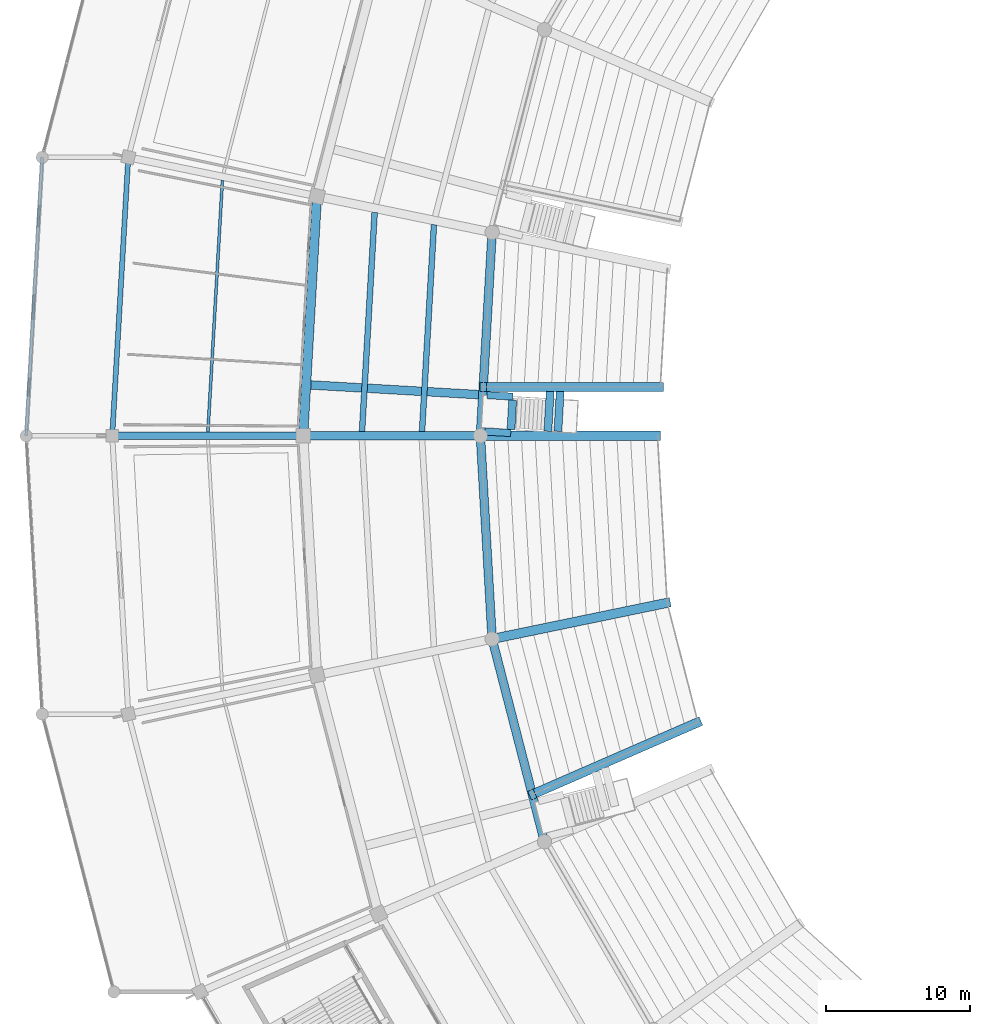
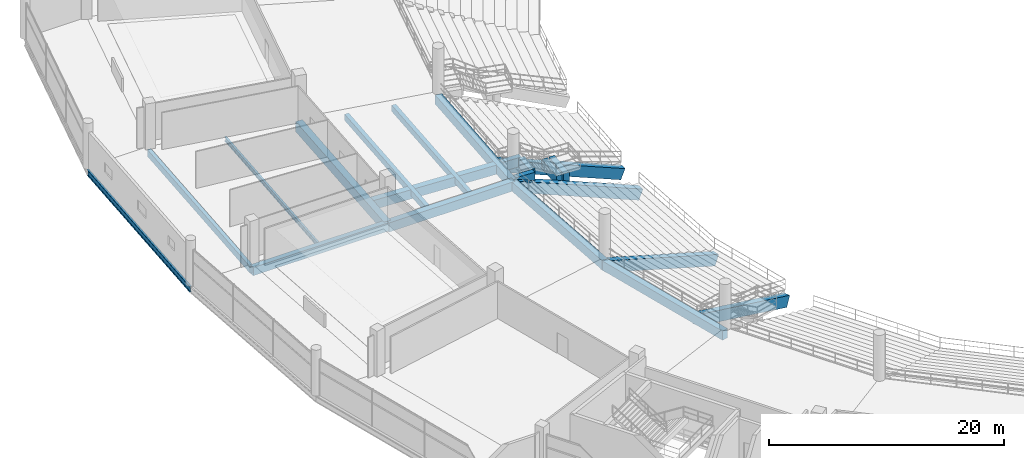
# One storey, part 30 of 156: 21 beams.
"""IFC4 building model written with IfcOpenShell, lengths in metres."""

from ifc_helpers import new_model, si_unit, direction, frame, origin, origin_2d, place, context, subcontext, project, spatial, rectangle, i_section, extrude, material, material_profile, profile_set, type_object, element, save


model = new_model("IFC4")

# Units and contexts
model_context = context("Model", 3, precision=1e-05, world=origin(), true_north=direction((0.0, 1.0)))
body_context = subcontext(model_context, "Body", "Model", "MODEL_VIEW")
ifc_project = project(units=[si_unit("LENGTHUNIT", "METRE"), si_unit("AREAUNIT", "SQUARE_METRE"), si_unit("VOLUMEUNIT", "CUBIC_METRE"), si_unit("PLANEANGLEUNIT", "RADIAN"), si_unit("MASSUNIT", "GRAM", prefix="KILO")], contexts=[model_context])

# Site, building, storey
site_placement = place(None, origin())
site = spatial("IfcSite", under=ifc_project, at=site_placement, CompositionType="ELEMENT")
building_placement = place(site_placement, origin())
building = spatial("IfcBuilding", under=site, at=building_placement, Name="Kazemori Nagisa Stadium", CompositionType="ELEMENT")
storey_placement = place(building_placement, frame((0.0, 0.0, 5.780029296875)))
storey = spatial("IfcBuildingStorey", under=building, at=storey_placement, Name="L01", CompositionType="ELEMENT", Elevation=5.780029296875)

# Beams
ifc_material_1 = material(Name="Concrete C40/50 (Fc42)", Category="concrete")
ifc_material_profile_1 = material_profile(ifc_material_1, rectangle(XDim=0.5, YDim=0.85009765625, at=origin_2d()), Name="RC-BM-500x850")
ifc_profile_set_1 = profile_set([ifc_material_profile_1], Name="Concrete C40/50 (Fc42)")
beam_type_1 = type_object("IfcBeamType", Name="Beam_BG-RC500X850", PredefinedType="BEAM", material=ifc_profile_set_1)
beam_1_placement = place(storey_placement, frame((41.300048828125, 102.0, -0.705078125), z_axis=(-1.0, 0.0, 0.0), x_axis=(0.0, -1.0, 0.0)))
element("IfcBeam", 1, at=beam_1_placement, inside=storey, type_object=beam_type_1, Name="Radial girder BG-RC500X850 L01 R2-R3-15", PredefinedType="BEAM", context=body_context, shape_type="SweptSolid", body=[
    extrude(rectangle(XDim=0.5, YDim=0.85009765625, at=origin_2d()), origin(), (0.0, 0.0, 1.0), 13.300048828125),
])
ifc_material_profile_2 = material_profile(ifc_material_1, rectangle(XDim=0.60009765625, YDim=0.949951171875, at=origin_2d()), Name="RC-BM-600x950")
ifc_profile_set_2 = profile_set([ifc_material_profile_2], Name="Concrete C40/50 (Fc42)")
beam_type_2 = type_object("IfcBeamType", Name="Beam_BG-RC600X950", PredefinedType="BEAM", material=ifc_profile_set_2)
for number, where, z_axis, x_axis, name in (
    (2, (54.467041015625, 116.160400390625, -0.755126953125), (-0.057610061423, -0.998339161219, 0.0), (0.998339161219, -0.057610061423, 0.0), "Ring girder BG-RC600X950 L01 R1-14"),
    (3, (53.64990234375, 102.0, -0.755126953125), (0.057610061423, -0.998339161219, 0.0), (0.998339161219, 0.057610061423, 0.0), "Ring girder BG-RC600X950 L01 R1-15"),
):
    element("IfcBeam", number, at=place(storey_placement, frame(where, z_axis=z_axis, x_axis=x_axis)), inside=storey, type_object=beam_type_2, Name=name, PredefinedType="BEAM", context=body_context, shape_type="SweptSolid", body=[
        extrude(rectangle(XDim=0.60009765625, YDim=0.949951171875, at=origin_2d()), origin(), (0.0, 0.0, 1.0), 14.183837890625),
    ])
beam_2_placement = place(storey_placement, frame((54.467041015625, 87.839599609375, -0.755126953125), z_axis=(0.249966077383, -0.9682545947, 0.0), x_axis=(0.9682545947, 0.249966077383, 0.0)))
element("IfcBeam", 4, at=beam_2_placement, inside=storey, type_object=beam_type_2, Name="Ring girder BG-RC600X950 L01 R1-16", PredefinedType="BEAM", context=body_context, shape_type="SweptSolid", body=[
    extrude(rectangle(XDim=0.60009765625, YDim=0.949951171875, at=origin_2d()), origin(), (0.0, 0.0, 1.0), 14.58984375),
])
beam_3_placement = place(storey_placement, frame((53.64990234375, 102.0, -0.755126953125), z_axis=(-1.0, 0.0, 0.0), x_axis=(0.0, -1.0, 0.0)))
element("IfcBeam", 5, at=beam_3_placement, inside=storey, type_object=beam_type_2, Name="Radial girder BG-RC600X950 L01 R1-R2-15", PredefinedType="BEAM", context=body_context, shape_type="SweptSolid", body=[
    extrude(rectangle(XDim=0.60009765625, YDim=0.949951171875, at=origin_2d()), origin(), (0.0, 0.0, 1.0), 12.349853515625),
])
beam_4_placement = place(storey_placement, frame((53.519775390625, 104.8623046875, -0.755126953125), z_axis=(-0.998339895506, 0.057597335362, 0.0), x_axis=(-0.057597335362, -0.998339895506, 0.0)))
element("IfcBeam", 6, at=beam_4_placement, inside=storey, type_object=beam_type_2, Name="Lower vomitory right backspan girder B14", PredefinedType="BEAM", context=body_context, shape_type="SweptSolid", body=[
    extrude(rectangle(XDim=0.60009765625, YDim=0.949951171875, at=origin_2d()), origin(), (0.0, 0.0, 1.0), 11.69482421875),
])
ifc_material_profile_3 = material_profile(ifc_material_1, rectangle(XDim=0.64990234375, YDim=1.050048828125, at=origin_2d()), Name="RC-BM-650x1050")
ifc_profile_set_3 = profile_set([ifc_material_profile_3], Name="Concrete C40/50 (Fc42)")
beam_type_3 = type_object("IfcBeamType", Name="Beam_BG-RC650X1050", PredefinedType="BEAM", material=ifc_profile_set_3)
beam_5_placement = place(storey_placement, frame((42.262451171875, 118.68212890625, -0.804931640625), z_axis=(-0.057594854854, -0.998340038611, 0.0), x_axis=(0.998340038611, -0.057594854854, 0.0)))
element("IfcBeam", 7, at=beam_5_placement, inside=storey, type_object=beam_type_3, Name="Ring girder BG-RC650X1050 L01 R2-14", PredefinedType="BEAM", context=body_context, shape_type="SweptSolid", body=[
    extrude(rectangle(XDim=0.64990234375, YDim=1.050048828125, at=origin_2d()), origin(), (0.0, 0.0, 1.0), 16.7099609375),
])
ifc_material_profile_4 = material_profile(ifc_material_1, rectangle(XDim=0.5, YDim=0.949951171875, at=origin_2d()), Name="RC-BM-500x950")
ifc_profile_set_4 = profile_set([ifc_material_profile_4], Name="Concrete C40/50 (Fc42)")
beam_type_4 = type_object("IfcBeamType", Name="Beam_BG-TR500X950", PredefinedType="BEAM", material=ifc_profile_set_4)
for number, where, z_axis, x_axis, name in (
    (8, (55.764404296875, 102.1884765625, -0.695068359375), (-0.998338595305, 0.057619867443, 0.0), (-0.057619867443, -0.998338595305, 0.0), "Lower vomitory left trimmer girder B14"),
    (9, (55.91064453125, 104.724365234375, -0.695068359375), (-0.998338595305, 0.057619867443, 0.0), (-0.057619867443, -0.998338595305, 0.0), "Lower vomitory right trimmer girder B14"),
):
    element("IfcBeam", number, at=place(storey_placement, frame(where, z_axis=z_axis, x_axis=x_axis)), inside=storey, type_object=beam_type_4, Name=name, PredefinedType="BEAM", context=body_context, shape_type="SweptSolid", body=[
        extrude(rectangle(XDim=0.5, YDim=0.949951171875, at=origin_2d()), origin(), (0.0, 0.0, 1.0), 1.804931640625),
    ])
ifc_material_profile_5 = material_profile(ifc_material_1, rectangle(XDim=0.550048828125, YDim=0.949951171875, at=origin_2d()), Name="RC-BM-550x950")
ifc_profile_set_5 = profile_set([ifc_material_profile_5], Name="Concrete C40/50 (Fc42)")
beam_type_5 = type_object("IfcBeamType", Name="Beam_BG-TR550X950", PredefinedType="BEAM", material=ifc_profile_set_5)
beam_6_placement = place(storey_placement, frame((55.778564453125, 102.43310546875, -0.695068359375), z_axis=(0.057521208334, 0.998344284599, 0.0), x_axis=(-0.998344284599, 0.057521208334, 0.0)))
element("IfcBeam", 10, at=beam_6_placement, inside=storey, type_object=beam_type_5, Name="Lower vomitory portal header girder B14", PredefinedType="BEAM", context=body_context, shape_type="SweptSolid", body=[
    extrude(rectangle(XDim=0.550048828125, YDim=0.949951171875, at=origin_2d()), origin(), (0.0, 0.0, 1.0), 2.050048828125),
])
for number, where, z_axis, x_axis, name in (
    (11, (58.510498046875, 105.0849609375, -2.135009765625), (-0.05761000106, -0.998339164702, 0.0), (0.998339164702, -0.05761000106, 0.0), "Vomitory landing cross-beam VL06-1"),
    (12, (59.207763671875, 105.0849609375, -2.135009765625), (-0.05761000106, -0.998339164702, 0.0), (0.998339164702, -0.05761000106, 0.0), "Vomitory landing cross-beam VL06-2"),
):
    element("IfcBeam", number, at=place(storey_placement, frame(where, z_axis=z_axis, x_axis=x_axis)), inside=storey, type_object=beam_type_5, Name=name, PredefinedType="BEAM", context=body_context, shape_type="SweptSolid", body=[
        extrude(rectangle(XDim=0.550048828125, YDim=0.949951171875, at=origin_2d()), origin(), (0.0, 0.0, 1.0), 2.780029296875),
    ])
ifc_material_2 = material(Name="Steel SN490B", Category="steel")
ifc_material_profile_6 = material_profile(ifc_material_2, i_section(OverallWidth=0.199951171875, OverallDepth=0.449951171875, WebThickness=0.009033203125, FlangeThickness=0.013916015625, FilletRadius=0.012939453125, at=origin_2d()), Name="H-450x200x9x14")
ifc_profile_set_6 = profile_set([ifc_material_profile_6], Name="Steel SN490B")
beam_type_6 = type_object("IfcBeamType", Name="Beam_BJ-H450", PredefinedType="JOIST", material=ifc_profile_set_6)
beam_7_placement = place(storey_placement, frame((35.6767578125, 119.795166015625, -0.505126953125), z_axis=(-0.057605851522, -0.998339404146, 0.0), x_axis=(0.998339404146, -0.057605851522, 0.0)))
element("IfcBeam", 13, at=beam_7_placement, inside=storey, type_object=beam_type_6, Name="Outer bay joist BJ-H450 L01 B14", PredefinedType="JOIST", context=body_context, shape_type="SweptSolid", body=[
    extrude(i_section(OverallWidth=0.199951171875, OverallDepth=0.449951171875, WebThickness=0.009033203125, FlangeThickness=0.013916015625, FilletRadius=0.012939453125, at=origin_2d()), origin(), (0.0, 0.0, 1.0), 17.579833984375),
])
ifc_material_profile_7 = material_profile(ifc_material_1, rectangle(XDim=0.39990234375, YDim=0.64990234375, at=origin_2d()), Name="RC-BM-400x650")
ifc_profile_set_7 = profile_set([ifc_material_profile_7], Name="Concrete C40/50 (Fc42)")
beam_type_7 = type_object("IfcBeamType", Name="Beam_BJ-RC400X650", PredefinedType="JOIST", material=ifc_profile_set_7)
beam_8_placement = place(storey_placement, frame((50.4130859375, 116.699951171875, -0.60498046875), z_axis=(-0.057594265016, -0.998340072639, 0.0), x_axis=(0.998340072639, -0.057594265016, 0.0)))
element("IfcBeam", 14, at=beam_8_placement, inside=storey, type_object=beam_type_7, Name="Concourse joist BJ-RC400X650 L01 B14-1", PredefinedType="JOIST", context=body_context, shape_type="SweptSolid", body=[
    extrude(rectangle(XDim=0.39990234375, YDim=0.64990234375, at=origin_2d()), origin(), (0.0, 0.0, 1.0), 14.429443359375),
])
beam_9_placement = place(storey_placement, frame((46.282470703125, 117.553466796875, -0.60498046875), z_axis=(-0.057599290514, -0.998339782705, 0.0), x_axis=(0.998339782705, -0.057599290514, 0.0)))
element("IfcBeam", 15, at=beam_9_placement, inside=storey, type_object=beam_type_7, Name="Concourse joist BJ-RC400X650 L01 B14-2", PredefinedType="JOIST", context=body_context, shape_type="SweptSolid", body=[
    extrude(rectangle(XDim=0.39990234375, YDim=0.64990234375, at=origin_2d()), origin(), (0.0, 0.0, 1.0), 15.284423828125),
])
ifc_material_profile_8 = material_profile(ifc_material_2, i_section(OverallWidth=0.199951171875, OverallDepth=0.60009765625, WebThickness=0.010986328125, FlangeThickness=0.01708984375, FilletRadius=0.012939453125, at=origin_2d()), Name="H-600x200x11x17")
ifc_profile_set_8 = profile_set([ifc_material_profile_8], Name="Steel SN490B")
beam_type_8 = type_object("IfcBeamType", Name="Beam_BS-H600", PredefinedType="SPANDREL", material=ifc_profile_set_8)
beam_10_placement = place(storey_placement, frame((23.119140625, 121.397705078125, -0.573974609375), z_axis=(-0.057598702622, -0.998339816624, 0.0), x_axis=(0.998339816624, -0.057598702622, 0.0)))
element("IfcBeam", 16, at=beam_10_placement, inside=storey, type_object=beam_type_8, Name="Boulevard edge beam BS-H600 L01 R4-14", PredefinedType="SPANDREL", context=body_context, shape_type="SweptSolid", body=[
    extrude(i_section(OverallWidth=0.199951171875, OverallDepth=0.60009765625, WebThickness=0.010986328125, FlangeThickness=0.01708984375, FilletRadius=0.012939453125, at=origin_2d()), origin(), (0.0, 0.0, 1.0), 19.429931640625),
])
ifc_material_profile_9 = material_profile(ifc_material_1, rectangle(XDim=0.35009765625, YDim=0.699951171875, at=origin_2d()), Name="RC-SP-350x700")
ifc_profile_set_9 = profile_set([ifc_material_profile_9], Name="Concrete C40/50 (Fc42)")
beam_type_9 = type_object("IfcBeamType", Name="Beam_BS-RC350X700", PredefinedType="SPANDREL", material=ifc_profile_set_9)
beam_11_placement = place(storey_placement, frame((29.119140625, 121.397705078125, -0.630126953125), z_axis=(-0.057598702622, -0.998339816624, 0.0), x_axis=(0.998339816624, -0.057598702622, 0.0)))
element("IfcBeam", 17, at=beam_11_placement, inside=storey, type_object=beam_type_9, Name="Ring girder BS-RC350X700 L01 R3-14", PredefinedType="SPANDREL", context=body_context, shape_type="SweptSolid", body=[
    extrude(rectangle(XDim=0.35009765625, YDim=0.699951171875, at=origin_2d()), origin(), (0.0, 0.0, 1.0), 19.429931640625),
])
ifc_material_profile_10 = material_profile(ifc_material_1, rectangle(XDim=0.64990234375, YDim=1.10009765625, at=origin_2d()), Name="RC-RK-650x1100")
ifc_profile_set_10 = profile_set([ifc_material_profile_10], Name="Concrete C40/50 (Fc42)")
beam_type_10 = type_object("IfcBeamType", Name="Beam_RK-RC650X1100", PredefinedType="USERDEFINED", material=ifc_profile_set_10)
beam_12_placement = place(storey_placement, frame((66.0, 102.0, -5.97998046875), z_axis=(-0.922970005148, 0.0, 0.384871887253), x_axis=(0.0, -1.0, 0.0)))
element("IfcBeam", 18, at=beam_12_placement, inside=storey, type_object=beam_type_10, Name="Raker beam lower RK1-15", ObjectType="RAKER BEAM", PredefinedType="USERDEFINED", context=body_context, shape_type="SweptSolid", body=[
    extrude(rectangle(XDim=0.64990234375, YDim=1.10009765625, at=origin_2d()), origin(), (0.0, 0.0, 1.0), 13.380859375),
])
beam_13_placement = place(storey_placement, frame((66.671630859375, 90.361328125, -5.97998046875), z_axis=(-0.90508066658, -0.187008965895, 0.38191181398), x_axis=(0.202347127025, -0.979313861938, 0.0)))
element("IfcBeam", 19, at=beam_13_placement, inside=storey, type_object=beam_type_10, Name="Raker beam lower RK1-16", ObjectType="RAKER BEAM", PredefinedType="USERDEFINED", context=body_context, shape_type="SweptSolid", body=[
    extrude(rectangle(XDim=0.64990234375, YDim=1.10009765625, at=origin_2d()), origin(), (0.0, 0.0, 1.0), 13.484619140625),
])
beam_14_placement = place(storey_placement, frame((66.19580078125, 105.394287109375, -5.97998046875), z_axis=(-0.92296730243, 0.0, 0.384878368636), x_axis=(0.0, -1.0, 0.0)))
element("IfcBeam", 20, at=beam_14_placement, inside=storey, type_object=beam_type_10, Name="Raker beam lower vomitory cheek RK1V-14", ObjectType="RAKER BEAM", PredefinedType="USERDEFINED", context=body_context, shape_type="SweptSolid", body=[
    extrude(rectangle(XDim=0.64990234375, YDim=1.10009765625, at=origin_2d()), origin(), (0.0, 0.0, 1.0), 13.380615234375),
])
beam_15_placement = place(storey_placement, frame((68.819091796875, 82.042236328125, -5.97998046875), z_axis=(-0.848589087357, -0.369941022194, 0.378206558531), x_axis=(0.399624648835, -0.916678864185, 0.0)))
element("IfcBeam", 21, at=beam_15_placement, inside=storey, type_object=beam_type_10, Name="Raker beam lower vomitory cheek RK1V-16", ObjectType="RAKER BEAM", PredefinedType="USERDEFINED", context=body_context, shape_type="SweptSolid", body=[
    extrude(rectangle(XDim=0.64990234375, YDim=1.10009765625, at=origin_2d()), origin(), (0.0, 0.0, 1.0), 13.61669921875),
])

save(model, "model.ifc")
